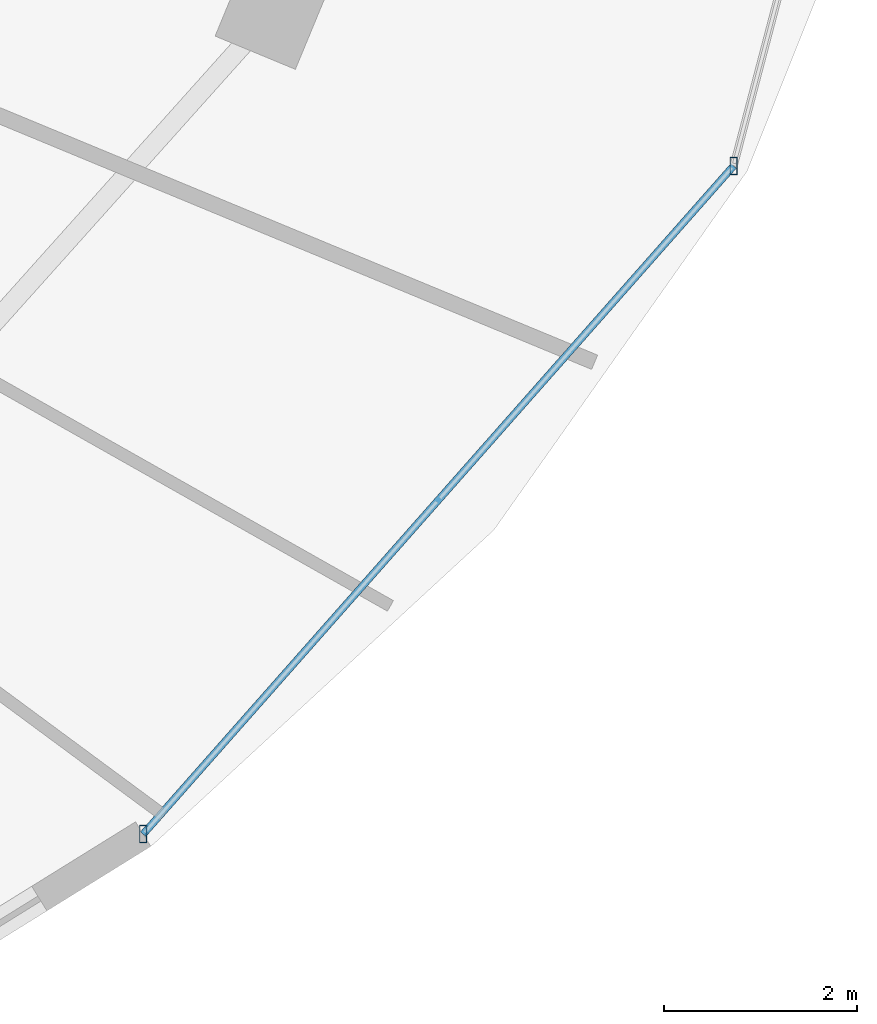
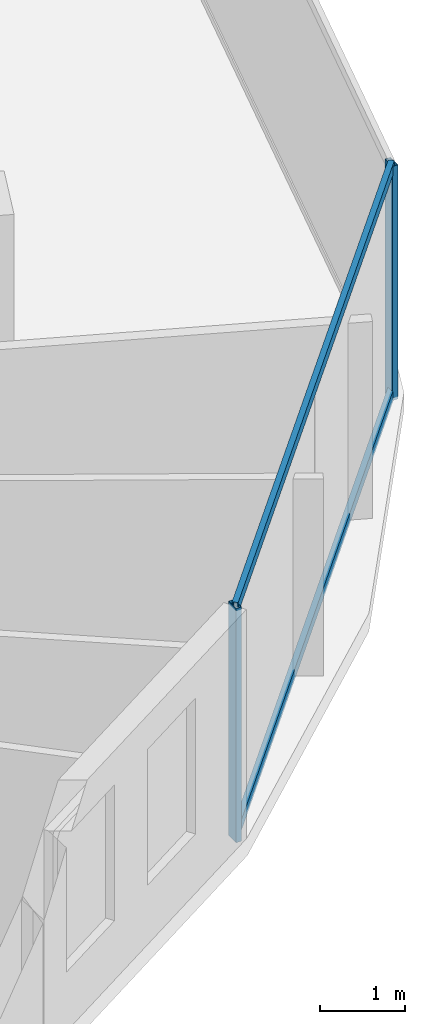
# One storey, part 13 of 33: 4 members, 1 element without a shape of its own.
"""IFC4 building model written with IfcOpenShell, lengths in metres."""

from ifc_helpers import new_model, si_unit, direction, frame, origin, origin_2d, place, context, subcontext, project, spatial, hollow_rectangle, extrude, material, material_profile, profile_set, type_object, element, aggregate, save


model = new_model("IFC4")

# Units and contexts
model_context = context("Model", 3, precision=1e-05, world=origin(), true_north=direction((0.0, 1.0)))
body_context = subcontext(model_context, "Body", "Model", "MODEL_VIEW")
ifc_project = project(units=[si_unit("LENGTHUNIT", "METRE"), si_unit("AREAUNIT", "SQUARE_METRE"), si_unit("VOLUMEUNIT", "CUBIC_METRE"), si_unit("PLANEANGLEUNIT", "RADIAN"), si_unit("MASSUNIT", "GRAM", prefix="KILO")], contexts=[model_context])

# Site, building, storey
site_placement = place(None, origin())
site = spatial("IfcSite", under=ifc_project, at=site_placement, CompositionType="ELEMENT")
building_placement = place(site_placement, origin())
building = spatial("IfcBuilding", under=site, at=building_placement, Name="Vorneva Point Tower", CompositionType="ELEMENT")
storey_placement = place(building_placement, frame((0.0, 0.0, 203.64990234375)))
storey = spatial("IfcBuildingStorey", under=building, at=storey_placement, Name="L55", CompositionType="ELEMENT", Elevation=203.64990234375)

# Curtain wall, members
ifc_material = material(Name="Pale anodised aluminium", Category="aluminium")
curtain_wall_type = type_object("IfcCurtainWallType", Name="CW-RES-SYS", PredefinedType="NOTDEFINED", material=ifc_material)
curtain_wall_placement = place(storey_placement, origin())
curtain_wall = element("IfcCurtainWall", 1, at=curtain_wall_placement, inside=storey, type_object=curtain_wall_type, Name="L55 Unitised Curtain Wall CW-L55-R04", PredefinedType="NOTDEFINED")
ifc_material_profile_1 = material_profile(ifc_material, hollow_rectangle(XDim=0.074951171875, YDim=0.179931640625, WallThickness=0.00390625, at=origin_2d()), Name="AL-MUL 180x75x4")
ifc_profile_set_1 = profile_set([ifc_material_profile_1], Name="Pale anodised aluminium")
member_type_1 = type_object("IfcMemberType", Name="CW-MUL-180", PredefinedType="MULLION", material=ifc_profile_set_1)
member_1_placement = place(storey_placement, frame((57.961669921875, 10.9033203125, -0.039794921875), z_axis=(0.0, 0.0, 1.0), x_axis=(1.0, 0.0, 0.0)))
member_1 = element("IfcMember", 2, at=member_1_placement, type_object=member_type_1, Name="CW-L55-R04 Mullion 01", PredefinedType="MULLION", context=body_context, shape_type="SweptSolid", body=[
    extrude(hollow_rectangle(XDim=0.074951171875, YDim=0.179931640625, WallThickness=0.00390625, at=origin_2d()), origin(), (0.0, 0.0, 1.0), 3.35986328125),
])
member_2_placement = place(storey_placement, frame((64.0810546875, 17.82958984375, -0.039794921875), z_axis=(0.0, 0.0, 1.0), x_axis=(1.0, 0.0, 0.0)))
member_2 = element("IfcMember", 3, at=member_2_placement, type_object=member_type_1, Name="CW-L55-R04 Mullion 02", PredefinedType="MULLION", context=body_context, shape_type="SweptSolid", body=[
    extrude(hollow_rectangle(XDim=0.074951171875, YDim=0.179931640625, WallThickness=0.00390625, at=origin_2d()), origin(), (0.0, 0.0, 1.0), 3.35986328125),
])
ifc_material_profile_2 = material_profile(ifc_material, hollow_rectangle(XDim=0.074951171875, YDim=0.14990234375, WallThickness=0.00390625, at=origin_2d()), Name="AL-TRN 150x75x4")
ifc_profile_set_2 = profile_set([ifc_material_profile_2], Name="Pale anodised aluminium")
member_type_2 = type_object("IfcMemberType", Name="CW-TRN-150", PredefinedType="USERDEFINED", material=ifc_profile_set_2)
member_3_placement = place(storey_placement, frame((57.961669921875, 10.9033203125, 0.02001953125), z_axis=(0.662106383869, 0.749409858782, 0.0), x_axis=(-0.749409858782, 0.662106383869, 0.0)))
member_3 = element("IfcMember", 4, at=member_3_placement, type_object=member_type_2, Name="CW-L55-R04 Transom 01.1", ObjectType="TRANSOM", PredefinedType="USERDEFINED", context=body_context, shape_type="SweptSolid", body=[
    extrude(hollow_rectangle(XDim=0.074951171875, YDim=0.14990234375, WallThickness=0.00390625, at=origin_2d()), origin(), (0.0, 0.0, 1.0), 9.2421875),
])
member_4_placement = place(storey_placement, frame((57.961669921875, 10.9033203125, 3.27001953125), z_axis=(0.662106383869, 0.749409858782, 0.0), x_axis=(-0.749409858782, 0.662106383869, 0.0)))
member_4 = element("IfcMember", 5, at=member_4_placement, type_object=member_type_2, Name="CW-L55-R04 Transom 01.2", ObjectType="TRANSOM", PredefinedType="USERDEFINED", context=body_context, shape_type="SweptSolid", body=[
    extrude(hollow_rectangle(XDim=0.074951171875, YDim=0.14990234375, WallThickness=0.00390625, at=origin_2d()), origin(), (0.0, 0.0, 1.0), 9.2421875),
])
aggregate(curtain_wall, [member_1, member_2, member_3, member_4])

save(model, "model.ifc")
